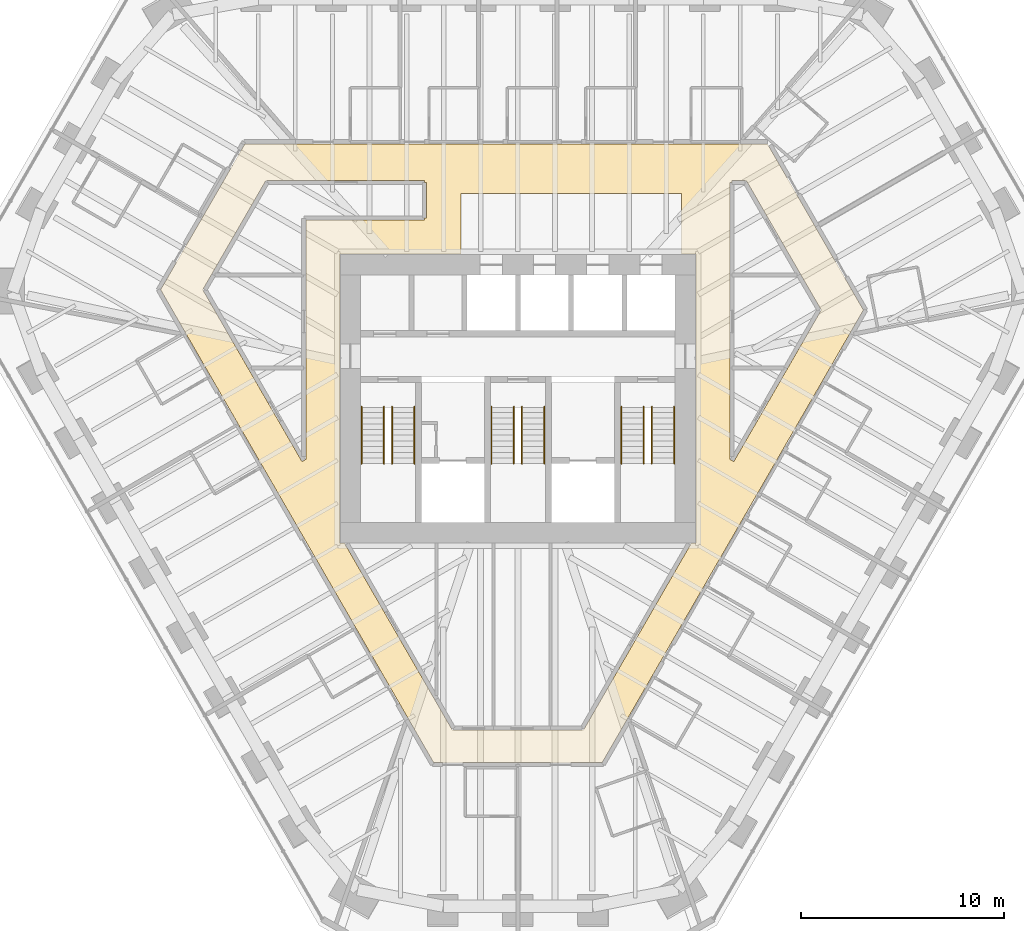
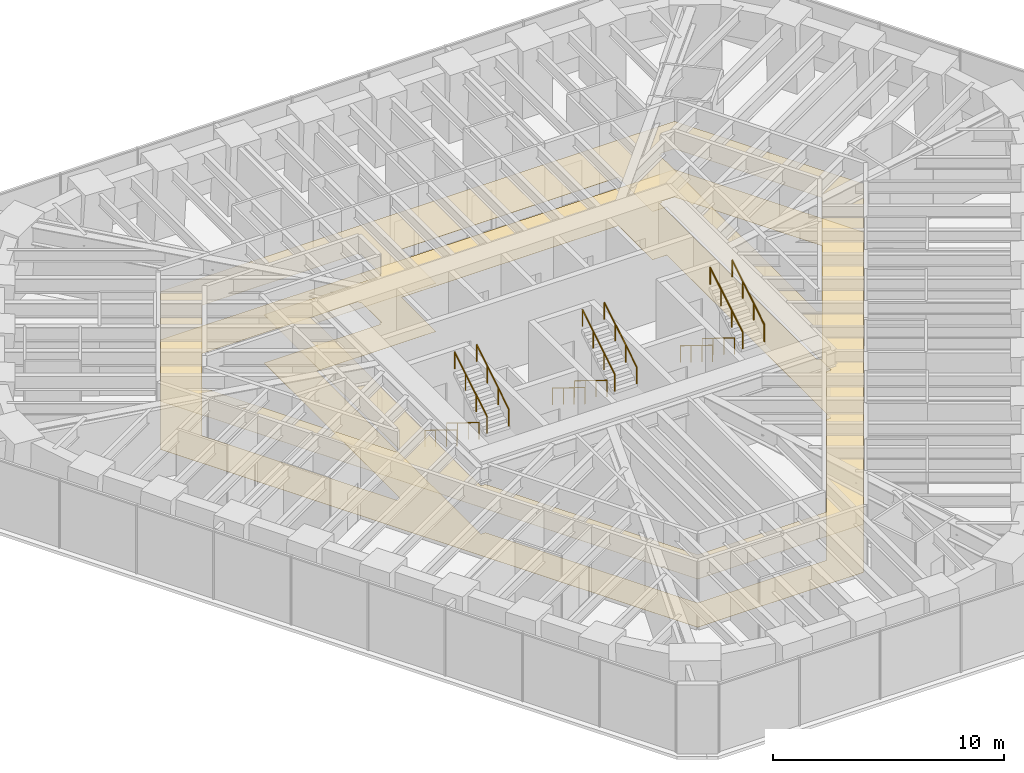
# One storey, part 17 of 17: 12 railings, 2 coverings.
"""IFC4 building model written with IfcOpenShell, lengths in metres."""

from ifc_helpers import new_model, si_unit, direction, frame, origin, origin_2d, place, context, subcontext, project, spatial, polyline, circle, outline, extrude, material, layer, layer_set, type_object, element, save


model = new_model("IFC4")

# Units and contexts
model_context = context("Model", 3, precision=1e-05, world=origin(), true_north=direction((0.0, 1.0)))
body_context = subcontext(model_context, "Body", "Model", "MODEL_VIEW")
ifc_project = project(units=[si_unit("LENGTHUNIT", "METRE"), si_unit("AREAUNIT", "SQUARE_METRE"), si_unit("VOLUMEUNIT", "CUBIC_METRE"), si_unit("PLANEANGLEUNIT", "RADIAN"), si_unit("MASSUNIT", "GRAM", prefix="KILO")], contexts=[model_context])

# Site, building, storey
site_placement = place(None, origin())
site = spatial("IfcSite", under=ifc_project, at=site_placement, CompositionType="ELEMENT")
building_placement = place(site_placement, origin())
building = spatial("IfcBuilding", under=site, at=building_placement, Name="Sandreach Pilgrim Tower", CompositionType="ELEMENT")
storey_placement = place(building_placement, frame((0.0, 0.0, 232.60009765625)))
storey = spatial("IfcBuildingStorey", under=building, at=storey_placement, Name="L58", CompositionType="ELEMENT", Elevation=232.60009765625)

# Coverings
ifc_material_1 = material(Name="Nylon carpet tile on the slab", Category="textile")
ifc_layer_1 = layer(ifc_material_1, 0.008056640625)
ifc_layer_set_1 = layer_set([ifc_layer_1], Name="Carpet tile")
covering_type_1 = type_object("IfcCoveringType", Name="Carpet tile", PredefinedType="FLOORING", material=ifc_layer_set_1)
covering_1_placement = place(storey_placement, origin())
element("IfcCovering", 1, at=covering_1_placement, inside=storey, type_object=covering_type_1, Name="Floor finish 58C Corridor 58", PredefinedType="FLOORING", context=body_context, shape_type="SweptSolid", body=[
    extrude(outline(polyline([(-4.15234375, -17.929931640625), (-17.6044921875, 5.369873046875), (-13.445068359375, 12.56005859375), (12.292236328125, 12.56005859375), (17.0244140625, 4.369873046875), (4.15234375, -17.929931640625), (-4.15234375, -17.929931640625)]), holes=[polyline([(10.449951171875, 10.659912109375), (10.449951171875, -2.9921875), (10.63671875, -3.10009765625), (14.945556640625, 4.370361328125), (11.247802734375, 10.760009765625), (10.56005859375, 10.760009765625), (10.56005859375, 10.66015625), (10.449951171875, 10.659912109375)]), polyline([(-3.227783203125, -16.330078125), (3.227783203125, -16.330078125), (8.542724609375, -7.1201171875), (8.77001953125, -7.1201171875), (8.77001953125, 7.1201171875), (8.050048828125, 7.1201171875), (8.050048828125, 10.10009765625), (-2.800048828125, 10.10009765625), (-2.800048828125, 7.1201171875), (-8.77001953125, 7.1201171875), (-8.77001953125, -7.1201171875), (-8.542724609375, -7.1201171875), (-3.227783203125, -16.330078125)]), polyline([(-15.525634765625, 5.370361328125), (-10.636474609375, -3.10009765625), (-10.449951171875, -2.9921875), (-10.449951171875, 8.800048828125), (-4.60009765625, 8.800048828125), (-4.60009765625, 8.909912109375), (-4.5, 8.909912109375), (-4.5, 10.64990234375), (-4.60009765625, 10.64990234375), (-4.60009765625, 10.760009765625), (-12.40771484375, 10.760009765625), (-15.525634765625, 5.370361328125)])]), origin(), (0.0, 0.0, 1.0), 0.0078125),
])
ifc_material_2 = material(Name="Gypsum board suspended ceiling on a steel grid", Category="steel")
ifc_layer_2 = layer(ifc_material_2, 0.012939453125)
ifc_layer_set_2 = layer_set([ifc_layer_2], Name="Gypsum board suspended ceiling")
covering_type_2 = type_object("IfcCoveringType", Name="Gypsum board suspended ceiling", PredefinedType="CEILING", material=ifc_layer_set_2)
covering_2_placement = place(storey_placement, frame((0.0, 0.0, 2.5498046875)))
element("IfcCovering", 2, at=covering_2_placement, inside=storey, type_object=covering_type_2, Name="Ceiling 58C Corridor 58", PredefinedType="CEILING", context=body_context, shape_type="SweptSolid", body=[
    extrude(outline(polyline([(-4.15234375, -17.929931640625), (-17.6044921875, 5.369873046875), (-13.445068359375, 12.56005859375), (12.292236328125, 12.56005859375), (17.0244140625, 4.369873046875), (4.15234375, -17.929931640625), (-4.15234375, -17.929931640625)]), holes=[polyline([(10.449951171875, 10.659912109375), (10.449951171875, -2.9921875), (10.63671875, -3.10009765625), (14.945556640625, 4.370361328125), (11.247802734375, 10.760009765625), (10.56005859375, 10.760009765625), (10.56005859375, 10.66015625), (10.449951171875, 10.659912109375)]), polyline([(-3.227783203125, -16.330078125), (3.227783203125, -16.330078125), (8.542724609375, -7.1201171875), (8.77001953125, -7.1201171875), (8.77001953125, 7.1201171875), (8.050048828125, 7.1201171875), (8.050048828125, 10.10009765625), (-2.800048828125, 10.10009765625), (-2.800048828125, 7.1201171875), (-8.77001953125, 7.1201171875), (-8.77001953125, -7.1201171875), (-8.542724609375, -7.1201171875), (-3.227783203125, -16.330078125)]), polyline([(-15.525634765625, 5.370361328125), (-10.636474609375, -3.10009765625), (-10.449951171875, -2.9921875), (-10.449951171875, 8.800048828125), (-4.60009765625, 8.800048828125), (-4.60009765625, 8.909912109375), (-4.5, 8.909912109375), (-4.5, 10.64990234375), (-4.60009765625, 10.64990234375), (-4.60009765625, 10.760009765625), (-12.40771484375, 10.760009765625), (-15.525634765625, 5.370361328125)])]), origin(), (0.0, 0.0, 1.0), 0.01318359375),
])

# Railings
ifc_material_3 = material(Name="Stainless steel tube", Category="steel")
railing_type = type_object("IfcRailingType", Name="Stair handrail", PredefinedType="HANDRAIL", material=ifc_material_3)
for number, where, name in (
    (3, (-6.60009765625, -0.39990234375, 0.172607421875), "Handrail ST1 L58 flight 1"),
    (4, (-7.699951171875, -0.39990234375, 0.172607421875), "Handrail ST1 L58 flight 1"),
):
    element("IfcRailing", number, at=place(storey_placement, frame(where)), inside=storey, type_object=railing_type, Name=name, PredefinedType="HANDRAIL", context=body_context, shape_type="SweptSolid", body=[
        extrude(circle(Radius=0.02392578125, at=origin_2d()), frame((0.0, 0.0, 0.8759765625), z_axis=(0.0, -0.851089632645, 0.525020415988), x_axis=(1.0, 0.0, 0.0)), (0.0, 0.0, 1.0), 3.2900390625),
        extrude(circle(Radius=0.02099609375, at=origin_2d()), origin(), (0.0, 0.0, 1.0), 0.851806640625),
        extrude(circle(Radius=0.02099609375, at=origin_2d()), frame((0.0, -0.933349609375, 0.57568359375)), (0.0, 0.0, 1.0), 0.851806640625),
        extrude(circle(Radius=0.02099609375, at=origin_2d()), frame((0.0, -1.86669921875, 1.151611328125)), (0.0, 0.0, 1.0), 0.851806640625),
        extrude(circle(Radius=0.02099609375, at=origin_2d()), frame((0.0, -2.800048828125, 1.727294921875)), (0.0, 0.0, 1.0), 0.851806640625),
    ])
for number, where, name in (
    (5, (-6.199951171875, -3.199951171875, 2.072509765625), "Handrail ST1 L58 flight 2"),
    (6, (-5.10009765625, -3.199951171875, 2.072509765625), "Handrail ST1 L58 flight 2"),
):
    element("IfcRailing", number, at=place(storey_placement, frame(where)), inside=storey, type_object=railing_type, Name=name, PredefinedType="HANDRAIL", context=body_context, shape_type="SweptSolid", body=[
        extrude(circle(Radius=0.02392578125, at=origin_2d()), frame((0.0, 0.0, 0.8759765625), z_axis=(0.0, 0.851089632645, 0.525020415988), x_axis=(-1.0, 0.0, 0.0)), (0.0, 0.0, 1.0), 3.2900390625),
        extrude(circle(Radius=0.02099609375, at=origin_2d()), origin(), (0.0, 0.0, 1.0), 0.851806640625),
        extrude(circle(Radius=0.02099609375, at=origin_2d()), frame((0.0, 0.933349609375, 0.57568359375)), (0.0, 0.0, 1.0), 0.851806640625),
        extrude(circle(Radius=0.02099609375, at=origin_2d()), frame((0.0, 1.86669921875, 1.151611328125)), (0.0, 0.0, 1.0), 0.851806640625),
        extrude(circle(Radius=0.02099609375, at=origin_2d()), frame((0.0, 2.800048828125, 1.727294921875)), (0.0, 0.0, 1.0), 0.851806640625),
    ])
for number, where, name in (
    (7, (-0.199951171875, -0.39990234375, 0.172607421875), "Handrail ST3 L58 flight 1"),
    (8, (-1.300048828125, -0.39990234375, 0.172607421875), "Handrail ST3 L58 flight 1"),
):
    element("IfcRailing", number, at=place(storey_placement, frame(where)), inside=storey, type_object=railing_type, Name=name, PredefinedType="HANDRAIL", context=body_context, shape_type="SweptSolid", body=[
        extrude(circle(Radius=0.02392578125, at=origin_2d()), frame((0.0, 0.0, 0.8759765625), z_axis=(0.0, -0.851089632645, 0.525020415988), x_axis=(1.0, 0.0, 0.0)), (0.0, 0.0, 1.0), 3.2900390625),
        extrude(circle(Radius=0.02099609375, at=origin_2d()), origin(), (0.0, 0.0, 1.0), 0.851806640625),
        extrude(circle(Radius=0.02099609375, at=origin_2d()), frame((0.0, -0.933349609375, 0.57568359375)), (0.0, 0.0, 1.0), 0.851806640625),
        extrude(circle(Radius=0.02099609375, at=origin_2d()), frame((0.0, -1.86669921875, 1.151611328125)), (0.0, 0.0, 1.0), 0.851806640625),
        extrude(circle(Radius=0.02099609375, at=origin_2d()), frame((0.0, -2.800048828125, 1.727294921875)), (0.0, 0.0, 1.0), 0.851806640625),
    ])
for number, where, name in (
    (9, (0.199951171875, -3.199951171875, 2.072509765625), "Handrail ST3 L58 flight 2"),
    (10, (1.300048828125, -3.199951171875, 2.072509765625), "Handrail ST3 L58 flight 2"),
):
    element("IfcRailing", number, at=place(storey_placement, frame(where)), inside=storey, type_object=railing_type, Name=name, PredefinedType="HANDRAIL", context=body_context, shape_type="SweptSolid", body=[
        extrude(circle(Radius=0.02392578125, at=origin_2d()), frame((0.0, 0.0, 0.8759765625), z_axis=(0.0, 0.851089632645, 0.525020415988), x_axis=(-1.0, 0.0, 0.0)), (0.0, 0.0, 1.0), 3.2900390625),
        extrude(circle(Radius=0.02099609375, at=origin_2d()), origin(), (0.0, 0.0, 1.0), 0.851806640625),
        extrude(circle(Radius=0.02099609375, at=origin_2d()), frame((0.0, 0.933349609375, 0.57568359375)), (0.0, 0.0, 1.0), 0.851806640625),
        extrude(circle(Radius=0.02099609375, at=origin_2d()), frame((0.0, 1.86669921875, 1.151611328125)), (0.0, 0.0, 1.0), 0.851806640625),
        extrude(circle(Radius=0.02099609375, at=origin_2d()), frame((0.0, 2.800048828125, 1.727294921875)), (0.0, 0.0, 1.0), 0.851806640625),
    ])
for number, where, name in (
    (11, (6.199951171875, -0.39990234375, 0.172607421875), "Handrail ST2 L58 flight 1"),
    (12, (5.10009765625, -0.39990234375, 0.172607421875), "Handrail ST2 L58 flight 1"),
):
    element("IfcRailing", number, at=place(storey_placement, frame(where)), inside=storey, type_object=railing_type, Name=name, PredefinedType="HANDRAIL", context=body_context, shape_type="SweptSolid", body=[
        extrude(circle(Radius=0.02392578125, at=origin_2d()), frame((0.0, 0.0, 0.8759765625), z_axis=(0.0, -0.851089632645, 0.525020415988), x_axis=(1.0, 0.0, 0.0)), (0.0, 0.0, 1.0), 3.2900390625),
        extrude(circle(Radius=0.02099609375, at=origin_2d()), origin(), (0.0, 0.0, 1.0), 0.851806640625),
        extrude(circle(Radius=0.02099609375, at=origin_2d()), frame((0.0, -0.933349609375, 0.57568359375)), (0.0, 0.0, 1.0), 0.851806640625),
        extrude(circle(Radius=0.02099609375, at=origin_2d()), frame((0.0, -1.86669921875, 1.151611328125)), (0.0, 0.0, 1.0), 0.851806640625),
        extrude(circle(Radius=0.02099609375, at=origin_2d()), frame((0.0, -2.800048828125, 1.727294921875)), (0.0, 0.0, 1.0), 0.851806640625),
    ])
for number, where, name in (
    (13, (6.60009765625, -3.199951171875, 2.072509765625), "Handrail ST2 L58 flight 2"),
    (14, (7.699951171875, -3.199951171875, 2.072509765625), "Handrail ST2 L58 flight 2"),
):
    element("IfcRailing", number, at=place(storey_placement, frame(where)), inside=storey, type_object=railing_type, Name=name, PredefinedType="HANDRAIL", context=body_context, shape_type="SweptSolid", body=[
        extrude(circle(Radius=0.02392578125, at=origin_2d()), frame((0.0, 0.0, 0.8759765625), z_axis=(0.0, 0.851089632645, 0.525020415988), x_axis=(-1.0, 0.0, 0.0)), (0.0, 0.0, 1.0), 3.2900390625),
        extrude(circle(Radius=0.02099609375, at=origin_2d()), origin(), (0.0, 0.0, 1.0), 0.851806640625),
        extrude(circle(Radius=0.02099609375, at=origin_2d()), frame((0.0, 0.933349609375, 0.57568359375)), (0.0, 0.0, 1.0), 0.851806640625),
        extrude(circle(Radius=0.02099609375, at=origin_2d()), frame((0.0, 1.86669921875, 1.151611328125)), (0.0, 0.0, 1.0), 0.851806640625),
        extrude(circle(Radius=0.02099609375, at=origin_2d()), frame((0.0, 2.800048828125, 1.727294921875)), (0.0, 0.0, 1.0), 0.851806640625),
    ])

save(model, "model.ifc")
